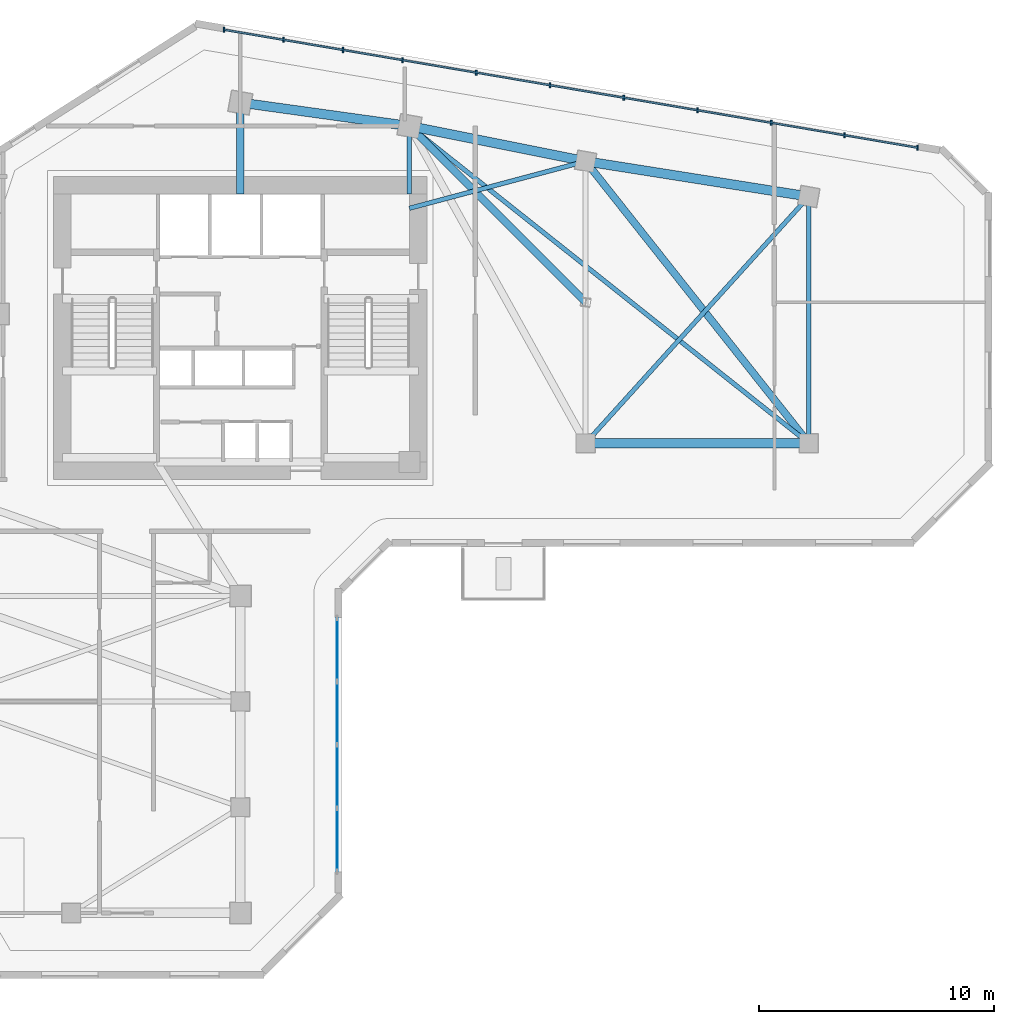
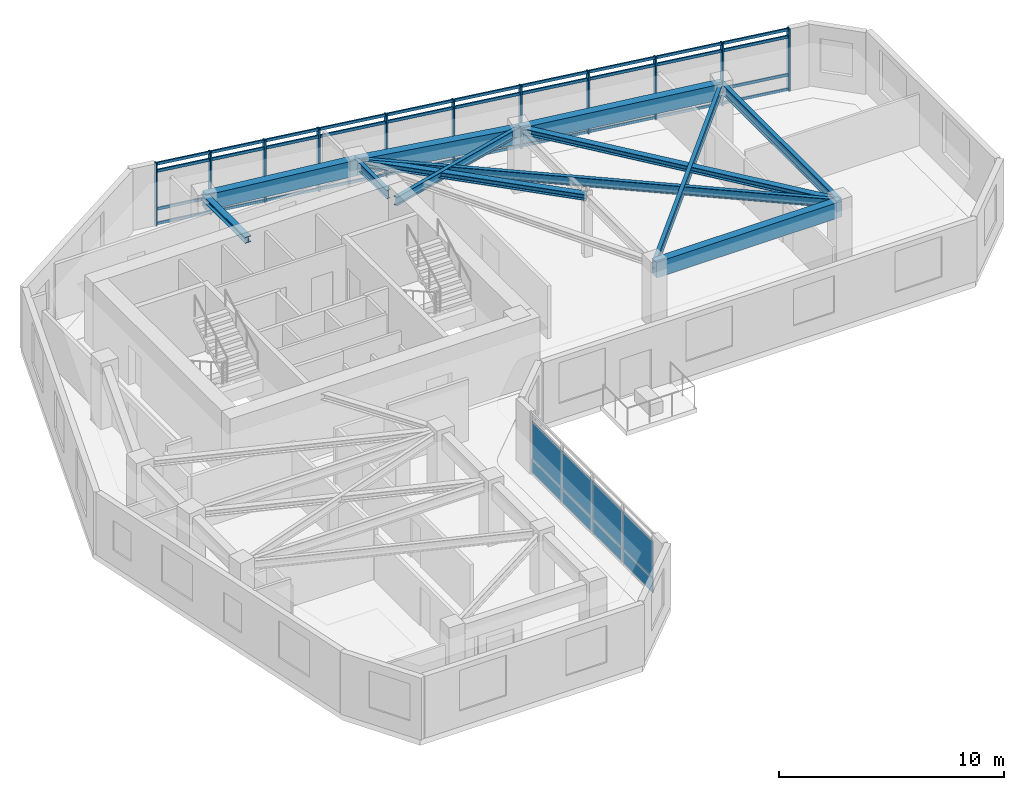
# One storey, part 3 of 10: 15 members, 12 beams, 8 plates, 2 elements without a shape of their own.
"""IFC4 building model written with IfcOpenShell, lengths in metres."""

import ifcopenshell
import ifcopenshell.guid

model = None  # the IFC model being written
_history = None  # IfcOwnerHistory: only IFC2X3 demands one
_inside = {}  # id of a spatial element -> (the spatial element, [elements in it])
_under = {}  # id of a project, library or spatial element -> (it, [spatial elements below it])
_declared = {}  # id of a project -> (the project, [libraries it declares])
_typed = {}  # id of a type object -> (the type object, [elements of that type])
_made_of = {}  # id of a material, layer set ... -> (it, [elements and type objects made of it])


def new_model(schema):
    """Start an empty IFC model of exactly this schema.

    Asked for "IFC4X3", IfcOpenShell would pick the latest addendum, in which some entities
    have other attributes; the version numbers below select the first issue.
    IFC2X3 requires an IfcOwnerHistory on every rooted entity: one is made here for all.
    """
    global model, _history
    if schema == "IFC4X3":
        model = ifcopenshell.file(schema_version=(4, 3, 0, 0))
    else:
        model = ifcopenshell.file(schema=schema)
    _inside.clear()
    _under.clear()
    _declared.clear()
    _typed.clear()
    _made_of.clear()
    _history = None
    if model.schema == "IFC2X3":
        org = make("IfcOrganization", Name="unknown")
        user = make(
            "IfcPersonAndOrganization",
            ThePerson=make("IfcPerson", FamilyName="unknown"),
            TheOrganization=org,
        )
        app = make(
            "IfcApplication",
            ApplicationDeveloper=org,
            Version="unknown",
            ApplicationFullName="unknown",
            ApplicationIdentifier="unknown",
        )
        _history = make(
            "IfcOwnerHistory",
            OwningUser=user,
            OwningApplication=app,
            ChangeAction="ADDED",
            CreationDate=0,
        )
    return model


def make(cls, **values):
    """One entity of the class cls with the attributes given. An attribute that is None is left unset."""
    return model.create_entity(
        cls, **{name: value for name, value in values.items() if value is not None}
    )


def rooted(cls, **values):
    """An entity with a GlobalId (a new one), such as an element, a storey or a relation."""
    return make(cls, GlobalId=ifcopenshell.guid.new(), OwnerHistory=_history, **values)


def si_unit(unit_type, name, prefix=None):
    """IfcSIUnit, for example si_unit("LENGTHUNIT", "METRE", prefix="MILLI")."""
    return make("IfcSIUnit", UnitType=unit_type, Prefix=prefix, Name=name)


def assignment(units):
    """IfcUnitAssignment: the units of a project."""
    return None if units is None else make("IfcUnitAssignment", Units=units)


def point(xyz):
    """IfcCartesianPoint."""
    return None if xyz is None else make("IfcCartesianPoint", Coordinates=xyz)


def direction(xyz):
    """IfcDirection."""
    return None if xyz is None else make("IfcDirection", DirectionRatios=xyz)


def frame(location, z_axis=None, x_axis=None):
    """IfcAxis2Placement3D, a coordinate frame: its origin and axes. An axis left out is left unset."""
    return make(
        "IfcAxis2Placement3D",
        Location=point(location),
        Axis=direction(z_axis),
        RefDirection=direction(x_axis),
    )


def frame_2d(location, x_axis=None):
    """IfcAxis2Placement2D, a coordinate frame in the plane: its origin and x axis."""
    return make(
        "IfcAxis2Placement2D", Location=point(location), RefDirection=direction(x_axis)
    )


def origin():
    """The frame at (0, 0, 0) with its axes left unset."""
    return frame((0.0, 0.0, 0.0))


def origin_2d():
    """The frame at (0, 0) in the plane with its x axis left unset."""
    return frame_2d((0.0, 0.0))


def place(relative_to, where):
    """IfcLocalPlacement: puts the frame where relative to a parent placement (None: the world)."""
    return make(
        "IfcLocalPlacement", PlacementRelTo=relative_to, RelativePlacement=where
    )


def context(
    kind, dimensions, precision=None, world=None, true_north=None, identifier=None
):
    """IfcGeometricRepresentationContext, for example the 3D "Model" context."""
    return make(
        "IfcGeometricRepresentationContext",
        ContextIdentifier=identifier,
        ContextType=kind,
        CoordinateSpaceDimension=dimensions,
        Precision=precision,
        WorldCoordinateSystem=world,
        TrueNorth=true_north,
    )


def subcontext(parent, identifier, kind, view, scale=None):
    """IfcGeometricRepresentationSubContext, for example "Body" below "Model"."""
    return make(
        "IfcGeometricRepresentationSubContext",
        ContextIdentifier=identifier,
        ContextType=kind,
        ParentContext=parent,
        TargetScale=scale,
        TargetView=view,
    )


def project(units=None, contexts=None):
    """IfcProject with its units and contexts."""
    return rooted(
        "IfcProject",
        Name="project",
        RepresentationContexts=contexts,
        UnitsInContext=assignment(units),
    )


def spatial(cls, under=None, at=None, **own):
    """A site, building, storey or space (cls), placed at a placement, below another one or the project."""
    s = rooted(cls, ObjectPlacement=at, **own)
    if under is not None:
        _under.setdefault(under.id(), (under, []))[1].append(s)
    return s


def profile(cls, at=None, kind="AREA", **sizes):
    """A parametric profile (cls). Its sizes go by their IFC names, for example OverallWidth=200.0."""
    return make(cls, ProfileType=kind, Position=at, **sizes)


def rectangle(**sizes):
    """IfcRectangleProfileDef."""
    return profile("IfcRectangleProfileDef", **sizes)


def i_section(**sizes):
    """IfcIShapeProfileDef."""
    return profile("IfcIShapeProfileDef", **sizes)


def extrude(swept, where, along, depth):
    """IfcExtrudedAreaSolid: the profile swept, set in the frame where, extruded along a direction by depth."""
    return make(
        "IfcExtrudedAreaSolid",
        SweptArea=swept,
        Position=where,
        ExtrudedDirection=direction(along),
        Depth=depth,
    )


def shape(context_of_items, identifier, shape_type, items):
    """IfcShapeRepresentation: the items that make up one representation, for example the "Body"."""
    return make(
        "IfcShapeRepresentation",
        ContextOfItems=context_of_items,
        RepresentationIdentifier=identifier,
        RepresentationType=shape_type,
        Items=items,
    )


def source(mapping_origin, context_of_items, identifier, shape_type, items):
    """IfcRepresentationMap: a shape defined once, which mapped items show again and again."""
    return make(
        "IfcRepresentationMap",
        MappingOrigin=mapping_origin,
        MappedRepresentation=shape(context_of_items, identifier, shape_type, items),
    )


def transform(
    local_origin,
    x_axis=None,
    y_axis=None,
    z_axis=None,
    scale=None,
    scale2=None,
    scale3=None,
    uniform=True,
):
    """IfcCartesianTransformationOperator3D, or its non-uniform kind. x_axis, y_axis, z_axis: its Axis1, 2, 3."""
    if uniform:
        return make(
            "IfcCartesianTransformationOperator3D",
            Axis1=direction(x_axis),
            Axis2=direction(y_axis),
            LocalOrigin=point(local_origin),
            Scale=scale,
            Axis3=direction(z_axis),
        )
    return make(
        "IfcCartesianTransformationOperator3DnonUniform",
        Axis1=direction(x_axis),
        Axis2=direction(y_axis),
        LocalOrigin=point(local_origin),
        Scale=scale,
        Axis3=direction(z_axis),
        Scale2=scale2,
        Scale3=scale3,
    )


def mapped(mapping_source, mapping_target):
    """IfcMappedItem: shows the shape of a source again, moved by a transform."""
    return make(
        "IfcMappedItem", MappingSource=mapping_source, MappingTarget=mapping_target
    )


def material(Name=None, Category=None):
    """IfcMaterial."""
    return make("IfcMaterial", Name=Name, Category=Category)


def layer(
    of_material, thickness, ventilated=None, Name=None, Category=None, Priority=None
):
    """IfcMaterialLayer: one layer of a wall or slab, of a material (None: an air gap)."""
    return make(
        "IfcMaterialLayer",
        Material=of_material,
        LayerThickness=thickness,
        IsVentilated=ventilated,
        Name=Name,
        Category=Category,
        Priority=Priority,
    )


def layer_set(layers, Name=None):
    """IfcMaterialLayerSet."""
    return make("IfcMaterialLayerSet", MaterialLayers=layers, LayerSetName=Name)


def material_profile(
    of_material, cross_section, Name=None, Category=None, Priority=None
):
    """IfcMaterialProfile: a cross section and its material."""
    return make(
        "IfcMaterialProfile",
        Name=Name,
        Material=of_material,
        Profile=cross_section,
        Priority=Priority,
        Category=Category,
    )


def profile_set(profiles, Name=None, composite=None):
    """IfcMaterialProfileSet."""
    return make(
        "IfcMaterialProfileSet",
        Name=Name,
        MaterialProfiles=profiles,
        CompositeProfile=composite,
    )


def made_of(thing, what):
    """Note that an element or type object is made of a material, layer set ...; save() writes the relation."""
    if what is not None:
        _made_of.setdefault(what.id(), (what, []))[1].append(thing)
    return thing


def type_object(cls, material=None, **own):
    """A type object (cls), such as IfcWallType, which elements share."""
    return made_of(rooted(cls, **own), material)


def element(
    cls,
    number,
    at=None,
    inside=None,
    cuts=None,
    type_object=None,
    material=None,
    context=None,
    identifier="Body",
    shape_type=None,
    held_by="IfcProductDefinitionShape",
    body=None,
    shapes=None,
    **own,
):
    """One element of the class cls, such as IfcWall. Its Tag is "e" and its number.

    at: its placement. inside: the storey or other place that contains it. cuts: it is an
    opening in that element (IfcRelVoidsElement). A single representation is given by context,
    identifier, shape_type and body (its items); several are given by shapes. held_by: the class
    of the entity that holds the representations. save() writes the other relations.
    """
    e = rooted(cls, Tag="e%d" % number, ObjectPlacement=at, **own)
    if body is not None:
        shapes = [shape(context, identifier, shape_type, body)]
    if shapes is not None:
        e.Representation = make(held_by, Representations=shapes)
    if inside is not None:
        _inside.setdefault(inside.id(), (inside, []))[1].append(e)
    if cuts is not None:
        rooted(
            "IfcRelVoidsElement", RelatingBuildingElement=cuts, RelatedOpeningElement=e
        )
    if type_object is not None:
        _typed.setdefault(type_object.id(), (type_object, []))[1].append(e)
    return made_of(e, material)


def aggregate(whole, parts):
    """IfcRelAggregates: a whole, such as a stair, and the parts it consists of."""
    return rooted("IfcRelAggregates", RelatingObject=whole, RelatedObjects=parts)


def save(model, path):
    """Write the relations noted so far, then the file.

    IfcRelAggregates (storeys below a building ...), IfcRelContainedInSpatialStructure (elements
    in a storey), IfcRelDefinesByType, IfcRelAssociatesMaterial and IfcRelDeclares: one each for
    every whole, place, type object, material and project.
    """
    for whole, parts in _under.values():
        aggregate(whole, parts)
    for where, things in _inside.values():
        rooted(
            "IfcRelContainedInSpatialStructure",
            RelatedElements=things,
            RelatingStructure=where,
        )
    for kind, things in _typed.values():
        rooted("IfcRelDefinesByType", RelatedObjects=things, RelatingType=kind)
    for what, things in _made_of.values():
        rooted("IfcRelAssociatesMaterial", RelatedObjects=things, RelatingMaterial=what)
    for by, libraries in _declared.values():
        rooted("IfcRelDeclares", RelatingContext=by, RelatedDefinitions=libraries)
    model.write(path)


model = new_model("IFC4")

# Units and contexts
model_context = context("Model", 3, precision=1e-05, world=origin(), true_north=direction((0.0, 1.0)))
body_context = subcontext(model_context, "Body", "Model", "MODEL_VIEW")
ifc_project = project(units=[si_unit("LENGTHUNIT", "METRE"), si_unit("AREAUNIT", "SQUARE_METRE"), si_unit("VOLUMEUNIT", "CUBIC_METRE"), si_unit("PLANEANGLEUNIT", "RADIAN"), si_unit("MASSUNIT", "GRAM", prefix="KILO")], contexts=[model_context])

# Site, building, storey
site_placement = place(None, origin())
site = spatial("IfcSite", under=ifc_project, at=site_placement, CompositionType="ELEMENT")
building_placement = place(site_placement, origin())
building = spatial("IfcBuilding", under=site, at=building_placement, Name="Calvemar Wedge Station Tower", CompositionType="ELEMENT")
storey_placement = place(building_placement, frame((0.0, 0.0, 139.39990234375)))
storey = spatial("IfcBuildingStorey", under=building, at=storey_placement, Name="L34", CompositionType="ELEMENT", Elevation=139.39990234375)

# Beams
ifc_material_1 = material(Name="Concrete C60", Category="concrete")
ifc_material_profile_1 = material_profile(ifc_material_1, rectangle(XDim=0.39990234375, YDim=0.85009765625, at=origin_2d()), Name="RC400x850")
ifc_profile_set_1 = profile_set([ifc_material_profile_1], Name="Concrete C60")
beam_type_1 = type_object("IfcBeamType", Name="BM-SP1-850", PredefinedType="SPANDREL", material=ifc_profile_set_1)
shared_shape_1 = source(origin(), body_context, "Body", "SweptSolid", [
    extrude(rectangle(XDim=0.39990234375, YDim=0.85009765625, at=origin_2d()), origin(), (0.0, 0.0, 1.0), 7.26904296875),
])
beam_1_placement = place(storey_placement, frame((23.800048828125, 49.5, 2.925048828125), z_axis=(0.990492146053, -0.13756928657, 0.0), x_axis=(0.13756928657, 0.990492146053, 0.0)))
element("IfcBeam", 1, at=beam_1_placement, inside=storey, type_object=beam_type_1, Name="Storey L34 Spandrel T-N1-T-N2", PredefinedType="SPANDREL", context=body_context, shape_type="MappedRepresentation", body=[
    mapped(shared_shape_1, transform((0.0, 0.0, 0.0), scale=1.0)),
])
shared_shape_2 = source(origin(), body_context, "Body", "SweptSolid", [
    extrude(rectangle(XDim=0.39990234375, YDim=0.85009765625, at=origin_2d()), origin(), (0.0, 0.0, 1.0), 7.6484375),
])
beam_2_placement = place(storey_placement, frame((31.0, 48.5, 2.925048828125), z_axis=(0.980580675691, -0.196116135138, 0.0), x_axis=(0.196116135138, 0.980580675691, 0.0)))
element("IfcBeam", 2, at=beam_2_placement, inside=storey, type_object=beam_type_1, Name="Storey L34 Spandrel T-N2-T-NU3", PredefinedType="SPANDREL", context=body_context, shape_type="MappedRepresentation", body=[
    mapped(shared_shape_2, transform((0.0, 0.0, 0.0), scale=1.0)),
])
shared_shape_3 = source(origin(), body_context, "Body", "SweptSolid", [
    extrude(rectangle(XDim=0.39990234375, YDim=0.85009765625, at=origin_2d()), origin(), (0.0, 0.0, 1.0), 9.61767578125),
])
beam_3_placement = place(storey_placement, frame((38.5, 47.0, 2.925048828125), z_axis=(0.987762965329, -0.155962573473, 0.0), x_axis=(0.155962573473, 0.987762965329, 0.0)))
element("IfcBeam", 3, at=beam_3_placement, inside=storey, type_object=beam_type_1, Name="Storey L34 Spandrel T-NU3-T-NU4", PredefinedType="SPANDREL", context=body_context, shape_type="MappedRepresentation", body=[
    mapped(shared_shape_3, transform((0.0, 0.0, 0.0), scale=1.0)),
])
shared_shape_4 = source(origin(), body_context, "Body", "SweptSolid", [
    extrude(rectangle(XDim=0.39990234375, YDim=0.85009765625, at=origin_2d()), origin(), (0.0, 0.0, 1.0), 9.5),
])
beam_4_placement = place(storey_placement, frame((38.5, 35.0, 2.925048828125), z_axis=(1.0, 0.0, 0.0), x_axis=(0.0, 1.0, 0.0)))
element("IfcBeam", 4, at=beam_4_placement, inside=storey, type_object=beam_type_1, Name="Storey L34 Spandrel T-NL2-T-NL3", PredefinedType="SPANDREL", context=body_context, shape_type="MappedRepresentation", body=[
    mapped(shared_shape_4, transform((0.0, 0.0, 0.0), scale=1.0)),
])
ifc_material_2 = material(Name="Structural steel ASTM A572 Grade 50", Category="steel")
ifc_material_profile_2 = material_profile(ifc_material_2, i_section(OverallWidth=0.19189453125, OverallDepth=0.462890625, WebThickness=0.010498046875, FlangeThickness=0.017578125, FilletRadius=0.012939453125, at=origin_2d()), Name="W460x89")
ifc_profile_set_2 = profile_set([ifc_material_profile_2], Name="Structural steel ASTM A572 Grade 50")
beam_type_2 = type_object("IfcBeamType", Name="BM-J1-W460", PredefinedType="JOIST", material=ifc_profile_set_2)
shared_shape_5 = source(origin(), body_context, "Body", "SweptSolid", [
    extrude(i_section(OverallWidth=0.19189453125, OverallDepth=0.462890625, WebThickness=0.010498046875, FlangeThickness=0.017578125, FilletRadius=0.012939453125, at=origin_2d()), origin(), (0.0, 0.0, 1.0), 21.708251953125),
])
beam_5_placement = place(storey_placement, frame((31.0, 48.5, 3.11865234375), z_axis=(0.783110847498, -0.621882143602, 0.0), x_axis=(0.621882143602, 0.783110847498, 0.0)))
element("IfcBeam", 5, at=beam_5_placement, inside=storey, type_object=beam_type_2, Name="Storey L34 Floor Beam T-N2-T-NL3", PredefinedType="JOIST", context=body_context, shape_type="MappedRepresentation", body=[
    mapped(shared_shape_5, transform((0.0, 0.0, 0.0), scale=1.0)),
])
ifc_material_profile_3 = material_profile(ifc_material_2, i_section(OverallWidth=0.30908203125, OverallDepth=0.322998046875, WebThickness=0.013916015625, FlangeThickness=0.02294921875, FilletRadius=0.014892578125, at=origin_2d()), Name="W310x143")
ifc_profile_set_3 = profile_set([ifc_material_profile_3], Name="Structural steel ASTM A572 Grade 50")
beam_type_3 = type_object("IfcBeamType", Name="BM-J5-W310H", PredefinedType="JOIST", material=ifc_profile_set_3)
shared_shape_6 = source(origin(), body_context, "Body", "SweptSolid", [
    extrude(i_section(OverallWidth=0.30908203125, OverallDepth=0.322998046875, WebThickness=0.013916015625, FlangeThickness=0.02294921875, FilletRadius=0.014892578125, at=origin_2d()), origin(), (0.0, 0.0, 1.0), 15.30517578125),
])
beam_6_placement = place(storey_placement, frame((38.5, 47.0, 3.1884765625), z_axis=(0.620702944366, -0.784045824462, 0.0), x_axis=(0.784045824462, 0.620702944366, 0.0)))
element("IfcBeam", 6, at=beam_6_placement, inside=storey, type_object=beam_type_3, Name="Storey L34 Floor Beam T-NU3-T-NL3", PredefinedType="JOIST", context=body_context, shape_type="MappedRepresentation", body=[
    mapped(shared_shape_6, transform((0.0, 0.0, 0.0), scale=1.0)),
])
shared_shape_7 = source(origin(), body_context, "Body", "SweptSolid", [
    extrude(i_section(OverallWidth=0.19189453125, OverallDepth=0.462890625, WebThickness=0.010498046875, FlangeThickness=0.017578125, FilletRadius=0.012939453125, at=origin_2d()), origin(), (0.0, 0.0, 1.0), 14.159912109375),
])
beam_7_placement = place(storey_placement, frame((38.5, 35.0, 3.11865234375), z_axis=(0.670913323969, 0.741535779124, 0.0), x_axis=(-0.741535779124, 0.670913323969, 0.0)))
element("IfcBeam", 7, at=beam_7_placement, inside=storey, type_object=beam_type_2, Name="Storey L34 Floor Beam T-NL2-T-NU4", PredefinedType="JOIST", context=body_context, shape_type="MappedRepresentation", body=[
    mapped(shared_shape_7, transform((0.0, 0.0, 0.0), scale=1.0)),
])
shared_shape_8 = source(origin(), body_context, "Body", "SweptSolid", [
    extrude(i_section(OverallWidth=0.19189453125, OverallDepth=0.462890625, WebThickness=0.010498046875, FlangeThickness=0.017578125, FilletRadius=0.012939453125, at=origin_2d()), origin(), (0.0, 0.0, 1.0), 7.76220703125),
])
beam_8_placement = place(storey_placement, frame((31.0, 45.0, 3.11865234375), z_axis=(0.966234939601, 0.25766265056, 0.0), x_axis=(-0.25766265056, 0.966234939601, 0.0)))
element("IfcBeam", 8, at=beam_8_placement, inside=storey, type_object=beam_type_2, Name="Storey L34 Core-to-Column Joist CJ-E2", PredefinedType="JOIST", context=body_context, shape_type="MappedRepresentation", body=[
    mapped(shared_shape_8, transform((0.0, 0.0, 0.0), scale=1.0)),
])
shared_shape_9 = source(origin(), body_context, "Body", "SweptSolid", [
    extrude(i_section(OverallWidth=0.30908203125, OverallDepth=0.322998046875, WebThickness=0.013916015625, FlangeThickness=0.02294921875, FilletRadius=0.014892578125, at=origin_2d()), origin(), (0.0, 0.0, 1.0), 3.89990234375),
])
beam_9_placement = place(storey_placement, frame((23.800048828125, 45.60009765625, 3.1884765625), z_axis=(0.0, 1.0, 0.0), x_axis=(-1.0, 0.0, 0.0)))
element("IfcBeam", 9, at=beam_9_placement, inside=storey, type_object=beam_type_3, Name="Storey L34 Core-to-Column Joist CJ-N1", PredefinedType="JOIST", context=body_context, shape_type="MappedRepresentation", body=[
    mapped(shared_shape_9, transform((0.0, 0.0, 0.0), scale=1.0)),
])
shared_shape_10 = source(origin(), body_context, "Body", "SweptSolid", [
    extrude(i_section(OverallWidth=0.19189453125, OverallDepth=0.462890625, WebThickness=0.010498046875, FlangeThickness=0.017578125, FilletRadius=0.012939453125, at=origin_2d()), origin(), (0.0, 0.0, 1.0), 2.89990234375),
])
beam_10_placement = place(storey_placement, frame((31.0, 45.60009765625, 3.11865234375), z_axis=(0.0, 1.0, 0.0), x_axis=(-1.0, 0.0, 0.0)))
element("IfcBeam", 10, at=beam_10_placement, inside=storey, type_object=beam_type_2, Name="Storey L34 Core-to-Column Joist CJ-N2", PredefinedType="JOIST", context=body_context, shape_type="MappedRepresentation", body=[
    mapped(shared_shape_10, transform((0.0, 0.0, 0.0), scale=1.0)),
])
ifc_material_profile_4 = material_profile(ifc_material_2, i_section(OverallWidth=0.2109375, OverallDepth=0.5390625, WebThickness=0.01171875, FlangeThickness=0.018798828125, FilletRadius=0.012939453125, at=origin_2d()), Name="W530x109")
ifc_profile_set_4 = profile_set([ifc_material_profile_4], Name="Structural steel ASTM A572 Grade 50")
beam_type_4 = type_object("IfcBeamType", Name="BM-SB4-W530", PredefinedType="BEAM", material=ifc_profile_set_4)
shared_shape_11 = source(origin(), body_context, "Body", "SweptSolid", [
    extrude(i_section(OverallWidth=0.2109375, OverallDepth=0.5390625, WebThickness=0.01171875, FlangeThickness=0.018798828125, FilletRadius=0.012939453125, at=origin_2d()), origin(), (0.0, 0.0, 1.0), 10.5),
])
beam_11_placement = place(storey_placement, frame((48.0, 45.5, 3.08056640625), z_axis=(0.0, -1.0, 0.0), x_axis=(1.0, 0.0, 0.0)))
element("IfcBeam", 11, at=beam_11_placement, inside=storey, type_object=beam_type_4, Name="Storey L34 Floor Beam T-NU4-T-NL3", PredefinedType="BEAM", context=body_context, shape_type="MappedRepresentation", body=[
    mapped(shared_shape_11, transform((0.0, 0.0, 0.0), scale=1.0)),
])
shared_shape_12 = source(origin(), body_context, "Body", "SweptSolid", [
    extrude(i_section(OverallWidth=0.30908203125, OverallDepth=0.322998046875, WebThickness=0.013916015625, FlangeThickness=0.02294921875, FilletRadius=0.014892578125, at=origin_2d()), origin(), (0.0, 0.0, 1.0), 10.606689453125),
])
beam_12_placement = place(storey_placement, frame((38.5, 41.0, 3.1884765625), z_axis=(-0.707106781187, 0.707106781187, 0.0), x_axis=(-0.707106781187, -0.707106781187, 0.0)))
element("IfcBeam", 12, at=beam_12_placement, inside=storey, type_object=beam_type_3, Name="Storey L34 Floor Beam T-NTIP-B-T-N2", PredefinedType="JOIST", context=body_context, shape_type="MappedRepresentation", body=[
    mapped(shared_shape_12, transform((0.0, 0.0, 0.0), scale=1.0)),
])

# Curtain wall, members
ifc_material_3 = material(Name="Anodised aluminium 6063-T6", Category="aluminium")
curtain_wall_type = type_object("IfcCurtainWallType", Name="CW2", PredefinedType="NOTDEFINED", material=ifc_material_3)
curtain_wall_1_placement = place(storey_placement, origin())
curtain_wall_1 = element("IfcCurtainWall", 13, at=curtain_wall_1_placement, inside=storey, type_object=curtain_wall_type, Name="Storey L34 CW2 Recessed Unitised Curtain Wall 10", PredefinedType="NOTDEFINED")
ifc_material_profile_5 = material_profile(ifc_material_3, rectangle(XDim=0.074951171875, YDim=0.219970703125, at=origin_2d()), Name="AL-MUL-75x220")
ifc_profile_set_5 = profile_set([ifc_material_profile_5], Name="Anodised aluminium 6063-T6")
member_type_1 = type_object("IfcMemberType", Name="CW2-MUL", PredefinedType="MULLION", material=ifc_profile_set_5)
shared_shape_13 = source(origin(), body_context, "Body", "SweptSolid", [
    extrude(rectangle(XDim=0.074951171875, YDim=0.219970703125, at=origin_2d()), origin(), (0.0, 0.0, 1.0), 3.39990234375),
])
member_1_placement = place(storey_placement, frame((52.63330078125, 47.577392578125, -0.0498046875), z_axis=(0.0, 0.0, 1.0), x_axis=(1.0, 0.0, 0.0)))
member_1 = element("IfcMember", 14, at=member_1_placement, type_object=member_type_1, Name="CW2 mullion 1", PredefinedType="MULLION", context=body_context, shape_type="MappedRepresentation", body=[
    mapped(shared_shape_13, transform((0.0, 0.0, 0.0), scale=1.0)),
])
member_2_placement = place(storey_placement, frame((49.519775390625, 48.10693359375, -0.0498046875), z_axis=(0.0, 0.0, 1.0), x_axis=(1.0, 0.0, 0.0)))
member_2 = element("IfcMember", 15, at=member_2_placement, type_object=member_type_1, Name="CW2 mullion 2", PredefinedType="MULLION", context=body_context, shape_type="MappedRepresentation", body=[
    mapped(shared_shape_13, transform((0.0, 0.0, 0.0), scale=1.0)),
])
member_3_placement = place(storey_placement, frame((46.40625, 48.636474609375, -0.0498046875), z_axis=(0.0, 0.0, 1.0), x_axis=(1.0, 0.0, 0.0)))
member_3 = element("IfcMember", 16, at=member_3_placement, type_object=member_type_1, Name="CW2 mullion 3", PredefinedType="MULLION", context=body_context, shape_type="MappedRepresentation", body=[
    mapped(shared_shape_13, transform((0.0, 0.0, 0.0), scale=1.0)),
])
member_4_placement = place(storey_placement, frame((43.2666015625, 49.17041015625, -0.0498046875), z_axis=(0.0, 0.0, 1.0), x_axis=(1.0, 0.0, 0.0)))
member_4 = element("IfcMember", 17, at=member_4_placement, type_object=member_type_1, Name="CW2 mullion 4", PredefinedType="MULLION", context=body_context, shape_type="MappedRepresentation", body=[
    mapped(shared_shape_13, transform((0.0, 0.0, 0.0), scale=1.0)),
])
member_5_placement = place(storey_placement, frame((40.126953125, 49.704345703125, -0.0498046875), z_axis=(0.0, 0.0, 1.0), x_axis=(1.0, 0.0, 0.0)))
member_5 = element("IfcMember", 18, at=member_5_placement, type_object=member_type_1, Name="CW2 mullion 5", PredefinedType="MULLION", context=body_context, shape_type="MappedRepresentation", body=[
    mapped(shared_shape_13, transform((0.0, 0.0, 0.0), scale=1.0)),
])
member_6_placement = place(storey_placement, frame((36.9873046875, 50.23828125, -0.0498046875), z_axis=(0.0, 0.0, 1.0), x_axis=(1.0, 0.0, 0.0)))
member_6 = element("IfcMember", 19, at=member_6_placement, type_object=member_type_1, Name="CW2 mullion 6", PredefinedType="MULLION", context=body_context, shape_type="MappedRepresentation", body=[
    mapped(shared_shape_13, transform((0.0, 0.0, 0.0), scale=1.0)),
])
member_7_placement = place(storey_placement, frame((33.84765625, 50.772216796875, -0.0498046875), z_axis=(0.0, 0.0, 1.0), x_axis=(1.0, 0.0, 0.0)))
member_7 = element("IfcMember", 20, at=member_7_placement, type_object=member_type_1, Name="CW2 mullion 7", PredefinedType="MULLION", context=body_context, shape_type="MappedRepresentation", body=[
    mapped(shared_shape_13, transform((0.0, 0.0, 0.0), scale=1.0)),
])
member_8_placement = place(storey_placement, frame((30.7080078125, 51.30615234375, -0.0498046875), z_axis=(0.0, 0.0, 1.0), x_axis=(1.0, 0.0, 0.0)))
member_8 = element("IfcMember", 21, at=member_8_placement, type_object=member_type_1, Name="CW2 mullion 8", PredefinedType="MULLION", context=body_context, shape_type="MappedRepresentation", body=[
    mapped(shared_shape_13, transform((0.0, 0.0, 0.0), scale=1.0)),
])
member_9_placement = place(storey_placement, frame((28.17431640625, 51.737060546875, -0.0498046875), z_axis=(0.0, 0.0, 1.0), x_axis=(1.0, 0.0, 0.0)))
member_9 = element("IfcMember", 22, at=member_9_placement, type_object=member_type_1, Name="CW2 mullion 9", PredefinedType="MULLION", context=body_context, shape_type="MappedRepresentation", body=[
    mapped(shared_shape_13, transform((0.0, 0.0, 0.0), scale=1.0)),
])
member_10_placement = place(storey_placement, frame((25.64013671875, 52.16796875, -0.0498046875), z_axis=(0.0, 0.0, 1.0), x_axis=(1.0, 0.0, 0.0)))
member_10 = element("IfcMember", 23, at=member_10_placement, type_object=member_type_1, Name="CW2 mullion 10", PredefinedType="MULLION", context=body_context, shape_type="MappedRepresentation", body=[
    mapped(shared_shape_13, transform((0.0, 0.0, 0.0), scale=1.0)),
])
member_11_placement = place(storey_placement, frame((23.106201171875, 52.598876953125, -0.0498046875), z_axis=(0.0, 0.0, 1.0), x_axis=(1.0, 0.0, 0.0)))
member_11 = element("IfcMember", 24, at=member_11_placement, type_object=member_type_1, Name="CW2 mullion 11", PredefinedType="MULLION", context=body_context, shape_type="MappedRepresentation", body=[
    mapped(shared_shape_13, transform((0.0, 0.0, 0.0), scale=1.0)),
])
ifc_material_profile_6 = material_profile(ifc_material_3, rectangle(XDim=0.074951171875, YDim=0.14990234375, at=origin_2d()), Name="AL-TRN-75x150")
ifc_profile_set_6 = profile_set([ifc_material_profile_6], Name="Anodised aluminium 6063-T6")
member_type_2 = type_object("IfcMemberType", Name="CW2-TRN", PredefinedType="USERDEFINED", material=ifc_profile_set_6)
shared_shape_14 = source(origin(), body_context, "Body", "SweptSolid", [
    extrude(rectangle(XDim=0.074951171875, YDim=0.14990234375, at=origin_2d()), origin(), (0.0, 0.0, 1.0), 29.950927734375),
])
member_12_placement = place(storey_placement, frame((52.63330078125, 47.577392578125, 0.06005859375), z_axis=(-0.985845487877, 0.167656416615, 0.0), x_axis=(-0.167656416615, -0.985845487877, 0.0)))
member_12 = element("IfcMember", 25, at=member_12_placement, type_object=member_type_2, Name="CW2 transom 1", ObjectType="TRANSOM", PredefinedType="USERDEFINED", context=body_context, shape_type="MappedRepresentation", body=[
    mapped(shared_shape_14, transform((0.0, 0.0, 0.0), scale=1.0)),
])
member_13_placement = place(storey_placement, frame((52.63330078125, 47.577392578125, 0.85009765625), z_axis=(-0.985845487877, 0.167656416615, 0.0), x_axis=(-0.167656416615, -0.985845487877, 0.0)))
member_13 = element("IfcMember", 26, at=member_13_placement, type_object=member_type_2, Name="CW2 transom 2", ObjectType="TRANSOM", PredefinedType="USERDEFINED", context=body_context, shape_type="MappedRepresentation", body=[
    mapped(shared_shape_14, transform((0.0, 0.0, 0.0), scale=1.0)),
])
member_14_placement = place(storey_placement, frame((52.63330078125, 47.577392578125, 2.900146484375), z_axis=(-0.985845487877, 0.167656416615, 0.0), x_axis=(-0.167656416615, -0.985845487877, 0.0)))
member_14 = element("IfcMember", 27, at=member_14_placement, type_object=member_type_2, Name="CW2 transom 3", ObjectType="TRANSOM", PredefinedType="USERDEFINED", context=body_context, shape_type="MappedRepresentation", body=[
    mapped(shared_shape_14, transform((0.0, 0.0, 0.0), scale=1.0)),
])
member_15_placement = place(storey_placement, frame((52.63330078125, 47.577392578125, 3.2900390625), z_axis=(-0.985845487877, 0.167656416615, 0.0), x_axis=(-0.167656416615, -0.985845487877, 0.0)))
member_15 = element("IfcMember", 28, at=member_15_placement, type_object=member_type_2, Name="CW2 transom 4", ObjectType="TRANSOM", PredefinedType="USERDEFINED", context=body_context, shape_type="MappedRepresentation", body=[
    mapped(shared_shape_14, transform((0.0, 0.0, 0.0), scale=1.0)),
])
aggregate(curtain_wall_1, [member_1, member_2, member_3, member_4, member_5, member_6, member_7, member_8, member_9, member_10, member_11, member_12, member_13, member_14, member_15])

# Curtain wall, plates
curtain_wall_2_placement = place(storey_placement, origin())
curtain_wall_2 = element("IfcCurtainWall", 29, at=curtain_wall_2_placement, inside=storey, type_object=curtain_wall_type, Name="Storey L34 CW2 Recessed Unitised Curtain Wall 4", PredefinedType="NOTDEFINED")
ifc_material_4 = material(Name="Low-E laminated insulated glass", Category="glass")
ifc_layer_1 = layer(ifc_material_4, 0.028076171875)
ifc_layer_set_1 = layer_set([ifc_layer_1], Name="Low-E laminated insulated glass")
plate_type_1 = type_object("IfcPlateType", Name="CW2-GLZ", PredefinedType="CURTAIN_PANEL", material=ifc_layer_set_1)
plate_1_placement = place(storey_placement, frame((27.91796875, 16.780029296875, 0.8701171875), z_axis=(0.0, 0.0, 1.0), x_axis=(0.0, 1.0, 0.0)))
plate_1 = element("IfcPlate", 30, at=plate_1_placement, type_object=plate_type_1, Name="CW2 vision glass panel 1", PredefinedType="CURTAIN_PANEL", context=body_context, shape_type="SweptSolid", body=[
    extrude(rectangle(XDim=2.662109375, YDim=0.028076171875, at=frame_2d((1.3310546875, 0.0))), origin(), (0.0, 0.0, 1.0), 2.010009765625),
])
plate_2_placement = place(storey_placement, frame((27.91796875, 19.47802734375, 0.8701171875), z_axis=(0.0, 0.0, 1.0), x_axis=(0.0, 1.0, 0.0)))
plate_2 = element("IfcPlate", 31, at=plate_2_placement, type_object=plate_type_1, Name="CW2 vision glass panel 2", PredefinedType="CURTAIN_PANEL", context=body_context, shape_type="SweptSolid", body=[
    extrude(rectangle(XDim=2.662109375, YDim=0.028076171875, at=frame_2d((1.3310546875, 0.0))), origin(), (0.0, 0.0, 1.0), 2.010009765625),
])
plate_3_placement = place(storey_placement, frame((27.91796875, 22.176025390625, 0.8701171875), z_axis=(0.0, 0.0, 1.0), x_axis=(0.0, 1.0, 0.0)))
plate_3 = element("IfcPlate", 32, at=plate_3_placement, type_object=plate_type_1, Name="CW2 vision glass panel 3", PredefinedType="CURTAIN_PANEL", context=body_context, shape_type="SweptSolid", body=[
    extrude(rectangle(XDim=2.662109375, YDim=0.028076171875, at=frame_2d((1.3310546875, 0.0))), origin(), (0.0, 0.0, 1.0), 2.010009765625),
])
plate_4_placement = place(storey_placement, frame((27.91796875, 24.8740234375, 0.8701171875), z_axis=(0.0, 0.0, 1.0), x_axis=(0.0, 1.0, 0.0)))
plate_4 = element("IfcPlate", 33, at=plate_4_placement, type_object=plate_type_1, Name="CW2 vision glass panel 4", PredefinedType="CURTAIN_PANEL", context=body_context, shape_type="SweptSolid", body=[
    extrude(rectangle(XDim=2.662109375, YDim=0.028076171875, at=frame_2d((1.3310546875, 0.0))), origin(), (0.0, 0.0, 1.0), 2.010009765625),
])
ifc_material_5 = material(Name="Oxidized bronze aluminium spandrel panel 5005-H24", Category="aluminium")
ifc_layer_2 = layer(ifc_material_5, 0.0400390625)
ifc_layer_set_2 = layer_set([ifc_layer_2], Name="Oxidized bronze aluminium spandrel panel 5005-H24")
plate_type_2 = type_object("IfcPlateType", Name="CW2-SPD", PredefinedType="SHEET", material=ifc_layer_set_2)
plate_5_placement = place(storey_placement, frame((27.91796875, 16.780029296875, 0.080078125), z_axis=(0.0, 0.0, 1.0), x_axis=(0.0, 1.0, 0.0)))
plate_5 = element("IfcPlate", 34, at=plate_5_placement, type_object=plate_type_2, Name="CW2 bronze spandrel panel 1", PredefinedType="SHEET", context=body_context, shape_type="SweptSolid", body=[
    extrude(rectangle(XDim=2.662109375, YDim=0.0400390625, at=frame_2d((1.3310546875, 0.0))), origin(), (0.0, 0.0, 1.0), 0.75),
])
plate_6_placement = place(storey_placement, frame((27.91796875, 19.47802734375, 0.080078125), z_axis=(0.0, 0.0, 1.0), x_axis=(0.0, 1.0, 0.0)))
plate_6 = element("IfcPlate", 35, at=plate_6_placement, type_object=plate_type_2, Name="CW2 bronze spandrel panel 2", PredefinedType="SHEET", context=body_context, shape_type="SweptSolid", body=[
    extrude(rectangle(XDim=2.662109375, YDim=0.0400390625, at=frame_2d((1.3310546875, 0.0))), origin(), (0.0, 0.0, 1.0), 0.75),
])
plate_7_placement = place(storey_placement, frame((27.91796875, 22.176025390625, 0.080078125), z_axis=(0.0, 0.0, 1.0), x_axis=(0.0, 1.0, 0.0)))
plate_7 = element("IfcPlate", 36, at=plate_7_placement, type_object=plate_type_2, Name="CW2 bronze spandrel panel 3", PredefinedType="SHEET", context=body_context, shape_type="SweptSolid", body=[
    extrude(rectangle(XDim=2.662109375, YDim=0.0400390625, at=frame_2d((1.3310546875, 0.0))), origin(), (0.0, 0.0, 1.0), 0.75),
])
plate_8_placement = place(storey_placement, frame((27.91796875, 24.8740234375, 0.080078125), z_axis=(0.0, 0.0, 1.0), x_axis=(0.0, 1.0, 0.0)))
plate_8 = element("IfcPlate", 37, at=plate_8_placement, type_object=plate_type_2, Name="CW2 bronze spandrel panel 4", PredefinedType="SHEET", context=body_context, shape_type="SweptSolid", body=[
    extrude(rectangle(XDim=2.662109375, YDim=0.0400390625, at=frame_2d((1.3310546875, 0.0))), origin(), (0.0, 0.0, 1.0), 0.75),
])
aggregate(curtain_wall_2, [plate_5, plate_1, plate_6, plate_2, plate_7, plate_3, plate_8, plate_4])

save(model, "model.ifc")
